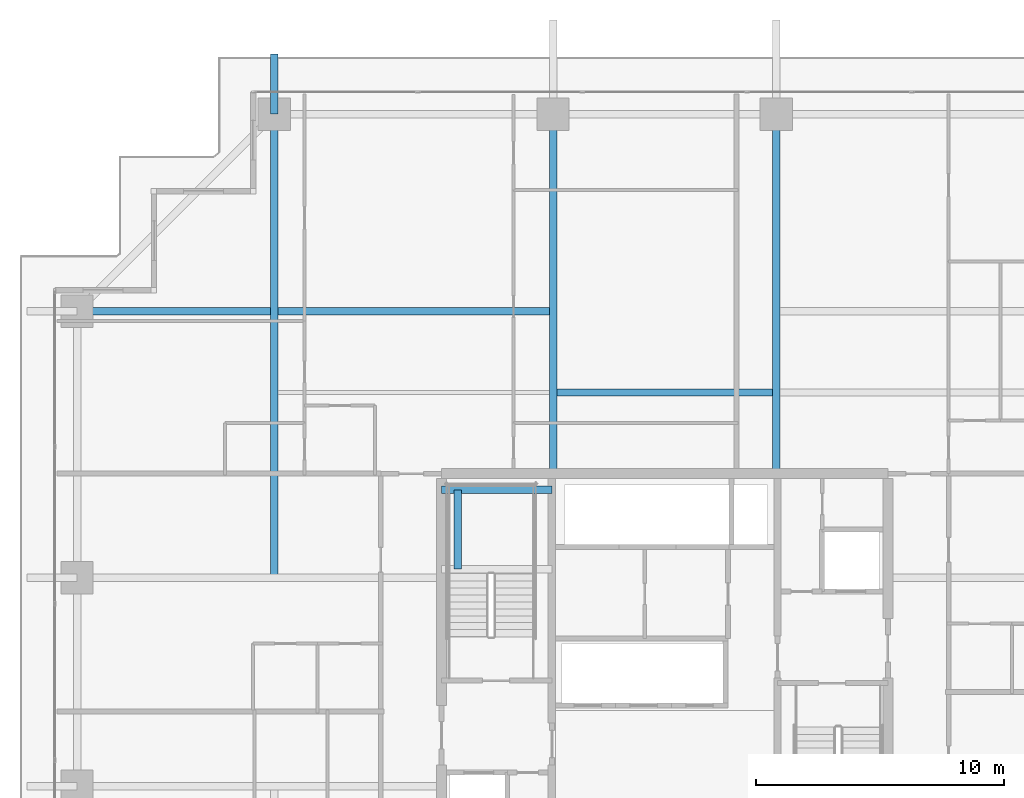
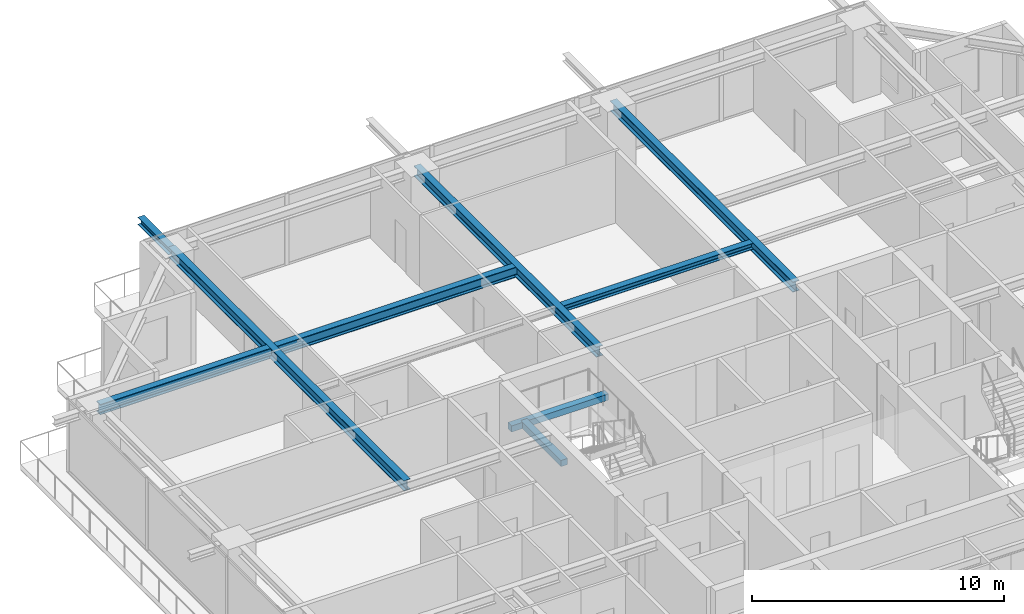
# One storey, part 19 of 36: 8 beams.
"""IFC4 building model written with IfcOpenShell, lengths in metres."""

from ifc_helpers import new_model, si_unit, direction, frame, origin, origin_2d, place, context, subcontext, project, spatial, rectangle, i_section, extrude, source, transform, mapped, material, material_profile, profile_set, type_object, element, save


model = new_model("IFC4")

# Units and contexts
model_context = context("Model", 3, precision=1e-05, world=origin(), true_north=direction((0.0, 1.0)))
body_context = subcontext(model_context, "Body", "Model", "MODEL_VIEW")
ifc_project = project(units=[si_unit("LENGTHUNIT", "METRE"), si_unit("AREAUNIT", "SQUARE_METRE"), si_unit("VOLUMEUNIT", "CUBIC_METRE"), si_unit("PLANEANGLEUNIT", "RADIAN"), si_unit("MASSUNIT", "GRAM", prefix="KILO")], contexts=[model_context])

# Site, building, storey
site_placement = place(None, origin())
site = spatial("IfcSite", under=ifc_project, at=site_placement, CompositionType="ELEMENT")
building_placement = place(site_placement, origin())
building = spatial("IfcBuilding", under=site, at=building_placement, Name="Serunith Strait Residences", CompositionType="ELEMENT")
storey_placement = place(building_placement, frame((0.0, 0.0, 131.39990234375)))
storey = spatial("IfcBuildingStorey", under=building, at=storey_placement, Name="L32", CompositionType="ELEMENT", Elevation=131.39990234375)

# Beams
ifc_material_1 = material(Name="Steel S355J2", Category="steel")
ifc_material_profile_1 = material_profile(ifc_material_1, i_section(OverallWidth=0.300048828125, OverallDepth=0.300048828125, WebThickness=0.010986328125, FlangeThickness=0.01904296875, FilletRadius=0.027099609375, at=origin_2d()), Name="HEB 300")
ifc_profile_set_1 = profile_set([ifc_material_profile_1], Name="Steel S355J2")
beam_type_1 = type_object("IfcBeamType", Name="BM-HEB300", PredefinedType="JOIST", material=ifc_profile_set_1)
shared_shape_1 = source(origin(), body_context, "Body", "SweptSolid", [
    extrude(i_section(OverallWidth=0.300048828125, OverallDepth=0.300048828125, WebThickness=0.010986328125, FlangeThickness=0.01904296875, FilletRadius=0.027099609375, at=origin_2d()), origin(), (0.0, 0.0, 1.0), 8.699951171875),
])
beam_1_placement = place(storey_placement, frame((28.050048828125, 36.875, 3.337158203125), z_axis=(1.0, 0.0, 0.0), x_axis=(0.0, 1.0, 0.0)))
element("IfcBeam", 1, at=beam_1_placement, inside=storey, type_object=beam_type_1, Name="L32 Composite Floor Joist 05", PredefinedType="JOIST", context=body_context, shape_type="MappedRepresentation", body=[
    mapped(shared_shape_1, transform((0.0, 0.0, 0.0), scale=1.0)),
])
ifc_material_profile_2 = material_profile(ifc_material_1, i_section(OverallWidth=0.300048828125, OverallDepth=0.5, WebThickness=0.014404296875, FlangeThickness=0.028076171875, FilletRadius=0.027099609375, at=origin_2d()), Name="HEB 500")
ifc_profile_set_2 = profile_set([ifc_material_profile_2], Name="Steel S355J2")
beam_type_2 = type_object("IfcBeamType", Name="BM-HEB500", PredefinedType="BEAM", material=ifc_profile_set_2)
shared_shape_2 = source(origin(), body_context, "Body", "SweptSolid", [
    extrude(i_section(OverallWidth=0.300048828125, OverallDepth=0.5, WebThickness=0.014404296875, FlangeThickness=0.028076171875, FilletRadius=0.027099609375, at=origin_2d()), origin(), (0.0, 0.0, 1.0), 14.5),
])
for number, where, z_axis, x_axis, name in (
    (2, (27.89990234375, 33.60009765625, 3.237060546875), (0.0, 1.0, 0.0), (-1.0, 0.0, 0.0), "L32 Primary Floor Girder TC-N2"),
    (3, (36.89990234375, 33.60009765625, 3.237060546875), (0.0, 1.0, 0.0), (-1.0, 0.0, 0.0), "L32 Primary Floor Girder TC-N3"),
):
    element("IfcBeam", number, at=place(storey_placement, frame(where, z_axis=z_axis, x_axis=x_axis)), inside=storey, type_object=beam_type_2, Name=name, PredefinedType="BEAM", context=body_context, shape_type="MappedRepresentation", body=[
        mapped(shared_shape_2, transform((0.0, 0.0, 0.0), scale=1.0)),
    ])
shared_shape_3 = source(origin(), body_context, "Body", "SweptSolid", [
    extrude(i_section(OverallWidth=0.300048828125, OverallDepth=0.5, WebThickness=0.014404296875, FlangeThickness=0.028076171875, FilletRadius=0.027099609375, at=origin_2d()), origin(), (0.0, 0.0, 1.0), 18.7001953125),
])
beam_2_placement = place(storey_placement, frame((16.64990234375, 29.39990234375, 3.237060546875), z_axis=(0.0, 1.0, 0.0), x_axis=(-1.0, 0.0, 0.0)))
element("IfcBeam", 4, at=beam_2_placement, inside=storey, type_object=beam_type_2, Name="L32 Orthogonal Corner Girder TC-N1", PredefinedType="BEAM", context=body_context, shape_type="MappedRepresentation", body=[
    mapped(shared_shape_3, transform((0.0, 0.0, 0.0), scale=1.0)),
])
shared_shape_4 = source(origin(), body_context, "Body", "SweptSolid", [
    extrude(i_section(OverallWidth=0.300048828125, OverallDepth=0.5, WebThickness=0.014404296875, FlangeThickness=0.028076171875, FilletRadius=0.027099609375, at=origin_2d()), origin(), (0.0, 0.0, 1.0), 19.199951171875),
])
beam_3_placement = place(storey_placement, frame((27.89990234375, 40.14990234375, 3.237060546875), z_axis=(-1.0, 0.0, 0.0), x_axis=(0.0, -1.0, 0.0)))
element("IfcBeam", 5, at=beam_3_placement, inside=storey, type_object=beam_type_2, Name="L32 Orthogonal Corner Girder TC-W4", PredefinedType="BEAM", context=body_context, shape_type="MappedRepresentation", body=[
    mapped(shared_shape_4, transform((0.0, 0.0, 0.0), scale=1.0)),
])
ifc_material_profile_3 = material_profile(ifc_material_1, i_section(OverallWidth=0.300048828125, OverallDepth=0.360107421875, WebThickness=0.012451171875, FlangeThickness=0.0224609375, FilletRadius=0.027099609375, at=origin_2d()), Name="HEB 360")
ifc_profile_set_3 = profile_set([ifc_material_profile_3], Name="Steel S355J2")
beam_type_3 = type_object("IfcBeamType", Name="BM-HEB360", PredefinedType="BEAM", material=ifc_profile_set_3)
shared_shape_5 = source(origin(), body_context, "Body", "SweptSolid", [
    extrude(i_section(OverallWidth=0.300048828125, OverallDepth=0.360107421875, WebThickness=0.012451171875, FlangeThickness=0.0224609375, FilletRadius=0.027099609375, at=origin_2d()), origin(), (0.0, 0.0, 1.0), 2.434814453125),
])
beam_4_placement = place(storey_placement, frame((16.64990234375, 48.10009765625, 3.277099609375), z_axis=(0.0, 1.0, 0.0), x_axis=(-1.0, 0.0, 0.0)))
element("IfcBeam", 6, at=beam_4_placement, inside=storey, type_object=beam_type_3, Name="L33 Cantilevered Balcony Rib TC-N1", PredefinedType="BEAM", context=body_context, shape_type="MappedRepresentation", body=[
    mapped(shared_shape_5, transform((0.0, 0.0, 0.0), scale=1.0)),
])
ifc_material_2 = material(Name="Concrete C60/75", Category="concrete")
ifc_material_profile_4 = material_profile(ifc_material_2, rectangle(XDim=0.300048828125, YDim=0.300048828125, at=origin_2d()), Name="RC 300x300")
ifc_profile_set_4 = profile_set([ifc_material_profile_4], Name="Concrete C60/75")
beam_type_4 = type_object("IfcBeamType", Name="BM-LAND-300x300", PredefinedType="BEAM", material=ifc_profile_set_4)
shared_shape_6 = source(origin(), body_context, "Body", "SweptSolid", [
    extrude(rectangle(XDim=0.300048828125, YDim=0.300048828125, at=origin_2d()), origin(), (0.0, 0.0, 1.0), 4.4501953125),
])
beam_5_placement = place(storey_placement, frame((23.39990234375, 32.949951171875, 1.525146484375), z_axis=(1.0, 0.0, 0.0), x_axis=(0.0, 1.0, 0.0)))
element("IfcBeam", 7, at=beam_5_placement, inside=storey, type_object=beam_type_4, Name="L32 ST-1 Landing Support Beam 2", PredefinedType="BEAM", context=body_context, shape_type="MappedRepresentation", body=[
    mapped(shared_shape_6, transform((0.0, 0.0, 0.0), scale=1.0)),
])
shared_shape_7 = source(origin(), body_context, "Body", "SweptSolid", [
    extrude(rectangle(XDim=0.300048828125, YDim=0.300048828125, at=origin_2d()), origin(), (0.0, 0.0, 1.0), 3.199951171875),
])
beam_6_placement = place(storey_placement, frame((24.050048828125, 29.75, 1.525146484375), z_axis=(0.0, 1.0, 0.0), x_axis=(-1.0, 0.0, 0.0)))
element("IfcBeam", 8, at=beam_6_placement, inside=storey, type_object=beam_type_4, Name="L32 ST-1 Landing Transverse Tie Beam", PredefinedType="BEAM", context=body_context, shape_type="MappedRepresentation", body=[
    mapped(shared_shape_7, transform((0.0, 0.0, 0.0), scale=1.0)),
])

save(model, "model.ifc")
